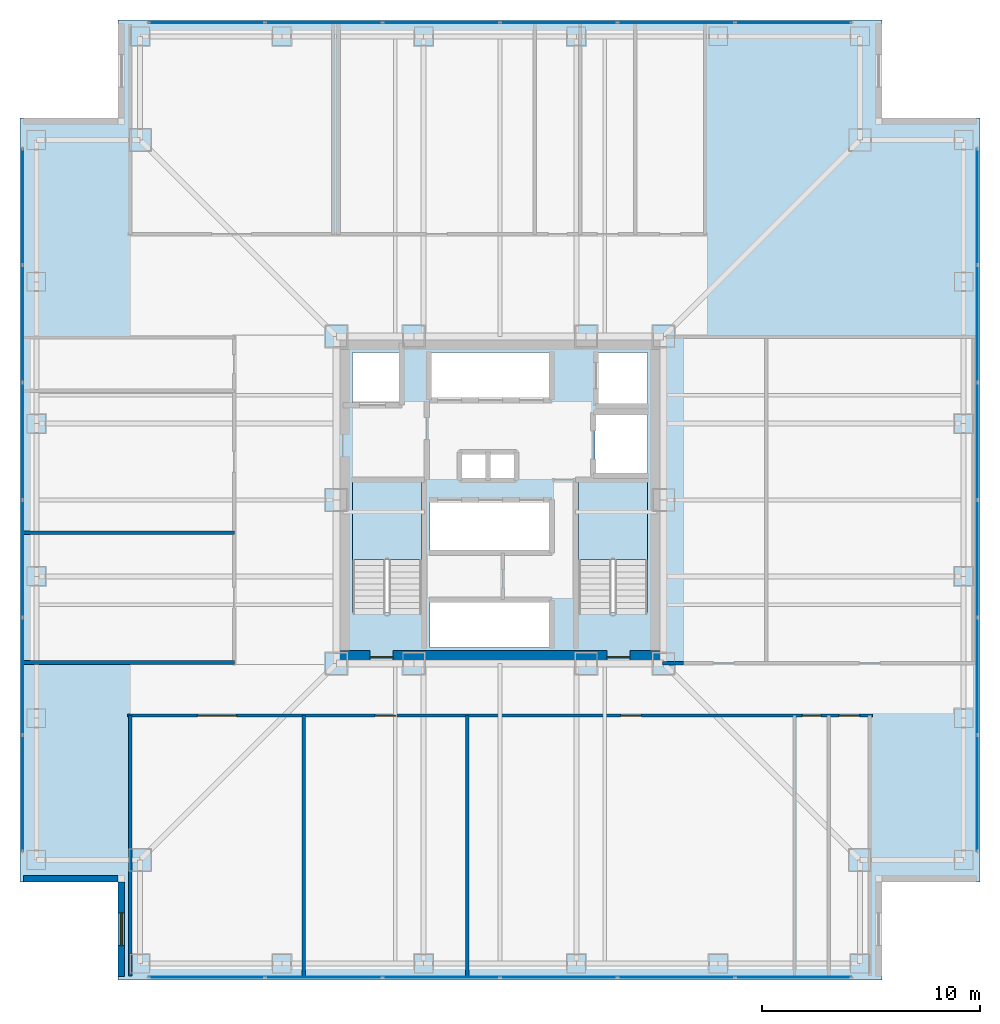
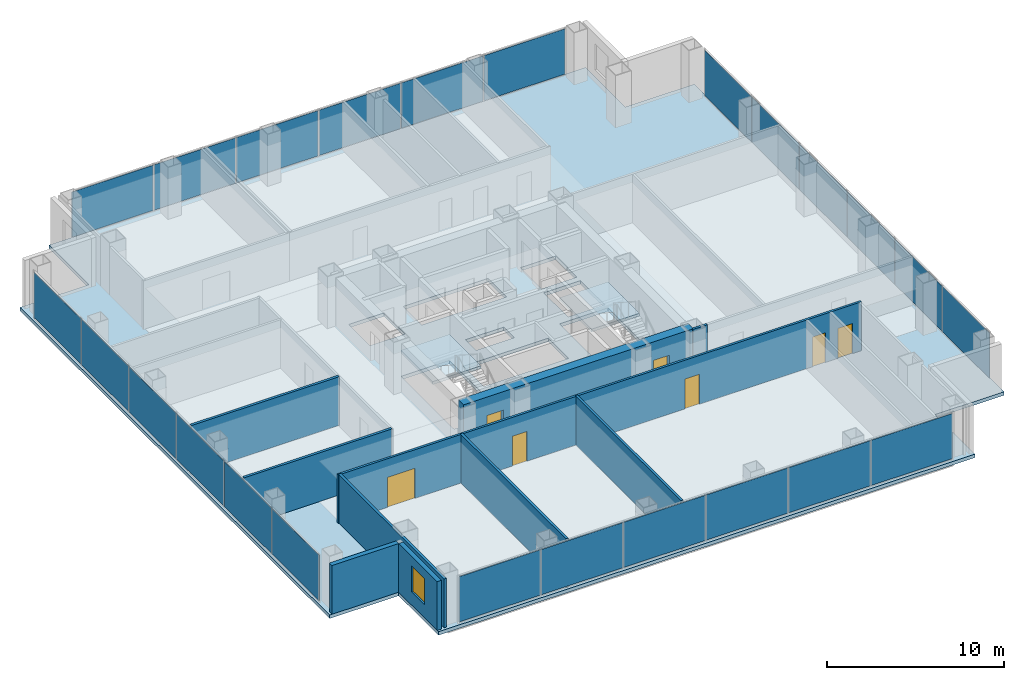
# One storey, part 9 of 14: 24 plates, 10 walls, 7 doors, 3 slabs, 1 window, 8 openings, 6 elements without a shape of their own.
"""IFC4 building model written with IfcOpenShell, lengths in metres."""

from ifc_helpers import new_model, si_unit, direction, frame, frame_2d, origin, origin_2d, place, context, subcontext, project, spatial, polyline, rectangle, outline, extrude, material, layer, layer_set, type_object, element, fill, aggregate, save


model = new_model("IFC4")

# Units and contexts
model_context = context("Model", 3, precision=1e-05, world=origin(), true_north=direction((0.0, 1.0)))
body_context = subcontext(model_context, "Body", "Model", "MODEL_VIEW")
ifc_project = project(units=[si_unit("LENGTHUNIT", "METRE"), si_unit("AREAUNIT", "SQUARE_METRE"), si_unit("VOLUMEUNIT", "CUBIC_METRE"), si_unit("PLANEANGLEUNIT", "RADIAN"), si_unit("MASSUNIT", "GRAM", prefix="KILO")], contexts=[model_context])

# Site, building, storey
site_placement = place(None, origin())
site = spatial("IfcSite", under=ifc_project, at=site_placement, CompositionType="ELEMENT")
building_placement = place(site_placement, origin())
building = spatial("IfcBuilding", under=site, at=building_placement, Name="Trevonay Congress Spire", CompositionType="ELEMENT")
storey_placement = place(building_placement, frame((0.0, 0.0, 97.60009765625)))
storey = spatial("IfcBuildingStorey", under=building, at=storey_placement, Name="L24", CompositionType="ELEMENT", Elevation=97.60009765625)

# Curtain wall, plates
ifc_material_1 = material(Name="Pale Anodised Aluminium EN AW-6063-T6", Category="aluminium")
ifc_layer_1 = layer(ifc_material_1, 0.175048828125, Name="Pale Anodised Aluminium EN AW-6063-T6")
ifc_layer_set_1 = layer_set([ifc_layer_1], Name="Pale Anodised Aluminium EN AW-6063-T6")
curtain_wall_type = type_object("IfcCurtainWallType", Name="CW-SYS03-CONGRESS-PALE-METAL", PredefinedType="NOTDEFINED", material=ifc_layer_set_1)
curtain_wall_1_placement = place(storey_placement, origin())
curtain_wall_1 = element("IfcCurtainWall", 1, at=curtain_wall_1_placement, inside=storey, type_object=curtain_wall_type, Name="L24 S unitised curtain wall", PredefinedType="NOTDEFINED")
ifc_material_2 = material(Name="Insulated Low-E Vision Glass IGU", Category="glass")
ifc_layer_2 = layer(ifc_material_2, 0.035888671875, Name="Insulated Low-E Vision Glass IGU")
ifc_layer_set_2 = layer_set([ifc_layer_2], Name="Insulated Low-E Vision Glass IGU")
plate_type = type_object("IfcPlateType", Name="CW-PANEL-IGU36-SILVER", PredefinedType="CURTAIN_PANEL", material=ifc_layer_set_2)
plate_1_placement = place(storey_placement, frame((-13.443359375, -21.8798828125, 0.119873046875), z_axis=(0.0, 0.0, 1.0), x_axis=(1.0, 0.0, 0.0)))
plate_1 = element("IfcPlate", 2, at=plate_1_placement, type_object=plate_type, Name="CW03 panel 1.1", PredefinedType="CURTAIN_PANEL", context=body_context, shape_type="SweptSolid", body=[
    extrude(rectangle(XDim=5.293212890625, YDim=0.035888671875, at=origin_2d()), origin(), (0.0, 0.0, 1.0), 3.1201171875),
])
plate_2_placement = place(storey_placement, frame((-8.074951171875, -21.8798828125, 0.119873046875), z_axis=(0.0, 0.0, 1.0), x_axis=(1.0, 0.0, 0.0)))
plate_2 = element("IfcPlate", 3, at=plate_2_placement, type_object=plate_type, Name="CW03 panel 2.1", PredefinedType="CURTAIN_PANEL", context=body_context, shape_type="SweptSolid", body=[
    extrude(rectangle(XDim=5.3232421875, YDim=0.035888671875, at=origin_2d()), origin(), (0.0, 0.0, 1.0), 3.1201171875),
])
plate_3_placement = place(storey_placement, frame((-2.691650390625, -21.8798828125, 0.119873046875), z_axis=(0.0, 0.0, 1.0), x_axis=(1.0, 0.0, 0.0)))
plate_3 = element("IfcPlate", 4, at=plate_3_placement, type_object=plate_type, Name="CW03 panel 3.1", PredefinedType="CURTAIN_PANEL", context=body_context, shape_type="SweptSolid", body=[
    extrude(rectangle(XDim=5.3232421875, YDim=0.035888671875, at=origin_2d()), origin(), (0.0, 0.0, 1.0), 3.1201171875),
])
plate_4_placement = place(storey_placement, frame((2.691650390625, -21.8798828125, 0.119873046875), z_axis=(0.0, 0.0, 1.0), x_axis=(1.0, 0.0, 0.0)))
plate_4 = element("IfcPlate", 5, at=plate_4_placement, type_object=plate_type, Name="CW03 panel 4.1", PredefinedType="CURTAIN_PANEL", context=body_context, shape_type="SweptSolid", body=[
    extrude(rectangle(XDim=5.3232421875, YDim=0.035888671875, at=origin_2d()), origin(), (0.0, 0.0, 1.0), 3.1201171875),
])
plate_5_placement = place(storey_placement, frame((8.074951171875, -21.8798828125, 0.119873046875), z_axis=(0.0, 0.0, 1.0), x_axis=(1.0, 0.0, 0.0)))
plate_5 = element("IfcPlate", 6, at=plate_5_placement, type_object=plate_type, Name="CW03 panel 5.1", PredefinedType="CURTAIN_PANEL", context=body_context, shape_type="SweptSolid", body=[
    extrude(rectangle(XDim=5.3232421875, YDim=0.035888671875, at=origin_2d()), origin(), (0.0, 0.0, 1.0), 3.1201171875),
])
plate_6_placement = place(storey_placement, frame((13.443359375, -21.8798828125, 0.119873046875), z_axis=(0.0, 0.0, 1.0), x_axis=(1.0, 0.0, 0.0)))
plate_6 = element("IfcPlate", 7, at=plate_6_placement, type_object=plate_type, Name="CW03 panel 6.1", PredefinedType="CURTAIN_PANEL", context=body_context, shape_type="SweptSolid", body=[
    extrude(rectangle(XDim=5.293212890625, YDim=0.035888671875, at=origin_2d()), origin(), (0.0, 0.0, 1.0), 3.1201171875),
])
aggregate(curtain_wall_1, [plate_1, plate_2, plate_3, plate_4, plate_5, plate_6])

curtain_wall_2_placement = place(storey_placement, origin())
curtain_wall_2 = element("IfcCurtainWall", 8, at=curtain_wall_2_placement, inside=storey, type_object=curtain_wall_type, Name="L24 N unitised curtain wall", PredefinedType="NOTDEFINED")
plate_7_placement = place(storey_placement, frame((-13.443359375, 21.8798828125, 0.119873046875), z_axis=(0.0, 0.0, 1.0), x_axis=(1.0, 0.0, 0.0)))
plate_7 = element("IfcPlate", 9, at=plate_7_placement, type_object=plate_type, Name="CW03 panel 1.1", PredefinedType="CURTAIN_PANEL", context=body_context, shape_type="SweptSolid", body=[
    extrude(rectangle(XDim=5.293212890625, YDim=0.035888671875, at=origin_2d()), origin(), (0.0, 0.0, 1.0), 3.1201171875),
])
plate_8_placement = place(storey_placement, frame((-8.074951171875, 21.8798828125, 0.119873046875), z_axis=(0.0, 0.0, 1.0), x_axis=(1.0, 0.0, 0.0)))
plate_8 = element("IfcPlate", 10, at=plate_8_placement, type_object=plate_type, Name="CW03 panel 2.1", PredefinedType="CURTAIN_PANEL", context=body_context, shape_type="SweptSolid", body=[
    extrude(rectangle(XDim=5.3232421875, YDim=0.035888671875, at=origin_2d()), origin(), (0.0, 0.0, 1.0), 3.1201171875),
])
plate_9_placement = place(storey_placement, frame((-2.691650390625, 21.8798828125, 0.119873046875), z_axis=(0.0, 0.0, 1.0), x_axis=(1.0, 0.0, 0.0)))
plate_9 = element("IfcPlate", 11, at=plate_9_placement, type_object=plate_type, Name="CW03 panel 3.1", PredefinedType="CURTAIN_PANEL", context=body_context, shape_type="SweptSolid", body=[
    extrude(rectangle(XDim=5.3232421875, YDim=0.035888671875, at=origin_2d()), origin(), (0.0, 0.0, 1.0), 3.1201171875),
])
plate_10_placement = place(storey_placement, frame((2.691650390625, 21.8798828125, 0.119873046875), z_axis=(0.0, 0.0, 1.0), x_axis=(1.0, 0.0, 0.0)))
plate_10 = element("IfcPlate", 12, at=plate_10_placement, type_object=plate_type, Name="CW03 panel 4.1", PredefinedType="CURTAIN_PANEL", context=body_context, shape_type="SweptSolid", body=[
    extrude(rectangle(XDim=5.3232421875, YDim=0.035888671875, at=origin_2d()), origin(), (0.0, 0.0, 1.0), 3.1201171875),
])
plate_11_placement = place(storey_placement, frame((8.074951171875, 21.8798828125, 0.119873046875), z_axis=(0.0, 0.0, 1.0), x_axis=(1.0, 0.0, 0.0)))
plate_11 = element("IfcPlate", 13, at=plate_11_placement, type_object=plate_type, Name="CW03 panel 5.1", PredefinedType="CURTAIN_PANEL", context=body_context, shape_type="SweptSolid", body=[
    extrude(rectangle(XDim=5.3232421875, YDim=0.035888671875, at=origin_2d()), origin(), (0.0, 0.0, 1.0), 3.1201171875),
])
plate_12_placement = place(storey_placement, frame((13.443359375, 21.8798828125, 0.119873046875), z_axis=(0.0, 0.0, 1.0), x_axis=(1.0, 0.0, 0.0)))
plate_12 = element("IfcPlate", 14, at=plate_12_placement, type_object=plate_type, Name="CW03 panel 6.1", PredefinedType="CURTAIN_PANEL", context=body_context, shape_type="SweptSolid", body=[
    extrude(rectangle(XDim=5.293212890625, YDim=0.035888671875, at=origin_2d()), origin(), (0.0, 0.0, 1.0), 3.1201171875),
])
aggregate(curtain_wall_2, [plate_7, plate_8, plate_9, plate_10, plate_11, plate_12])

curtain_wall_3_placement = place(storey_placement, origin())
curtain_wall_3 = element("IfcCurtainWall", 15, at=curtain_wall_3_placement, inside=storey, type_object=curtain_wall_type, Name="L24 W unitised curtain wall", PredefinedType="NOTDEFINED")
plate_13_placement = place(storey_placement, frame((-21.8798828125, -13.443359375, 0.119873046875), z_axis=(0.0, 0.0, 1.0), x_axis=(0.0, 1.0, 0.0)))
plate_13 = element("IfcPlate", 16, at=plate_13_placement, type_object=plate_type, Name="CW03 panel 1.1", PredefinedType="CURTAIN_PANEL", context=body_context, shape_type="SweptSolid", body=[
    extrude(rectangle(XDim=5.293212890625, YDim=0.035888671875, at=origin_2d()), origin(), (0.0, 0.0, 1.0), 3.1201171875),
])
plate_14_placement = place(storey_placement, frame((-21.8798828125, -8.074951171875, 0.119873046875), z_axis=(0.0, 0.0, 1.0), x_axis=(0.0, 1.0, 0.0)))
plate_14 = element("IfcPlate", 17, at=plate_14_placement, type_object=plate_type, Name="CW03 panel 2.1", PredefinedType="CURTAIN_PANEL", context=body_context, shape_type="SweptSolid", body=[
    extrude(rectangle(XDim=5.3232421875, YDim=0.035888671875, at=origin_2d()), origin(), (0.0, 0.0, 1.0), 3.1201171875),
])
plate_15_placement = place(storey_placement, frame((-21.8798828125, -2.691650390625, 0.119873046875), z_axis=(0.0, 0.0, 1.0), x_axis=(0.0, 1.0, 0.0)))
plate_15 = element("IfcPlate", 18, at=plate_15_placement, type_object=plate_type, Name="CW03 panel 3.1", PredefinedType="CURTAIN_PANEL", context=body_context, shape_type="SweptSolid", body=[
    extrude(rectangle(XDim=5.3232421875, YDim=0.035888671875, at=origin_2d()), origin(), (0.0, 0.0, 1.0), 3.1201171875),
])
plate_16_placement = place(storey_placement, frame((-21.8798828125, 2.691650390625, 0.119873046875), z_axis=(0.0, 0.0, 1.0), x_axis=(0.0, 1.0, 0.0)))
plate_16 = element("IfcPlate", 19, at=plate_16_placement, type_object=plate_type, Name="CW03 panel 4.1", PredefinedType="CURTAIN_PANEL", context=body_context, shape_type="SweptSolid", body=[
    extrude(rectangle(XDim=5.3232421875, YDim=0.035888671875, at=origin_2d()), origin(), (0.0, 0.0, 1.0), 3.1201171875),
])
plate_17_placement = place(storey_placement, frame((-21.8798828125, 8.074951171875, 0.119873046875), z_axis=(0.0, 0.0, 1.0), x_axis=(0.0, 1.0, 0.0)))
plate_17 = element("IfcPlate", 20, at=plate_17_placement, type_object=plate_type, Name="CW03 panel 5.1", PredefinedType="CURTAIN_PANEL", context=body_context, shape_type="SweptSolid", body=[
    extrude(rectangle(XDim=5.3232421875, YDim=0.035888671875, at=origin_2d()), origin(), (0.0, 0.0, 1.0), 3.1201171875),
])
plate_18_placement = place(storey_placement, frame((-21.8798828125, 13.443359375, 0.119873046875), z_axis=(0.0, 0.0, 1.0), x_axis=(0.0, 1.0, 0.0)))
plate_18 = element("IfcPlate", 21, at=plate_18_placement, type_object=plate_type, Name="CW03 panel 6.1", PredefinedType="CURTAIN_PANEL", context=body_context, shape_type="SweptSolid", body=[
    extrude(rectangle(XDim=5.293212890625, YDim=0.035888671875, at=origin_2d()), origin(), (0.0, 0.0, 1.0), 3.1201171875),
])
aggregate(curtain_wall_3, [plate_13, plate_14, plate_15, plate_16, plate_17, plate_18])

curtain_wall_4_placement = place(storey_placement, origin())
curtain_wall_4 = element("IfcCurtainWall", 22, at=curtain_wall_4_placement, inside=storey, type_object=curtain_wall_type, Name="L24 E unitised curtain wall", PredefinedType="NOTDEFINED")
plate_19_placement = place(storey_placement, frame((21.8798828125, -13.443359375, 0.119873046875), z_axis=(0.0, 0.0, 1.0), x_axis=(0.0, 1.0, 0.0)))
plate_19 = element("IfcPlate", 23, at=plate_19_placement, type_object=plate_type, Name="CW03 panel 1.1", PredefinedType="CURTAIN_PANEL", context=body_context, shape_type="SweptSolid", body=[
    extrude(rectangle(XDim=5.293212890625, YDim=0.035888671875, at=origin_2d()), origin(), (0.0, 0.0, 1.0), 3.1201171875),
])
plate_20_placement = place(storey_placement, frame((21.8798828125, -8.074951171875, 0.119873046875), z_axis=(0.0, 0.0, 1.0), x_axis=(0.0, 1.0, 0.0)))
plate_20 = element("IfcPlate", 24, at=plate_20_placement, type_object=plate_type, Name="CW03 panel 2.1", PredefinedType="CURTAIN_PANEL", context=body_context, shape_type="SweptSolid", body=[
    extrude(rectangle(XDim=5.3232421875, YDim=0.035888671875, at=origin_2d()), origin(), (0.0, 0.0, 1.0), 3.1201171875),
])
plate_21_placement = place(storey_placement, frame((21.8798828125, -2.691650390625, 0.119873046875), z_axis=(0.0, 0.0, 1.0), x_axis=(0.0, 1.0, 0.0)))
plate_21 = element("IfcPlate", 25, at=plate_21_placement, type_object=plate_type, Name="CW03 panel 3.1", PredefinedType="CURTAIN_PANEL", context=body_context, shape_type="SweptSolid", body=[
    extrude(rectangle(XDim=5.3232421875, YDim=0.035888671875, at=origin_2d()), origin(), (0.0, 0.0, 1.0), 3.1201171875),
])
plate_22_placement = place(storey_placement, frame((21.8798828125, 2.691650390625, 0.119873046875), z_axis=(0.0, 0.0, 1.0), x_axis=(0.0, 1.0, 0.0)))
plate_22 = element("IfcPlate", 26, at=plate_22_placement, type_object=plate_type, Name="CW03 panel 4.1", PredefinedType="CURTAIN_PANEL", context=body_context, shape_type="SweptSolid", body=[
    extrude(rectangle(XDim=5.3232421875, YDim=0.035888671875, at=origin_2d()), origin(), (0.0, 0.0, 1.0), 3.1201171875),
])
plate_23_placement = place(storey_placement, frame((21.8798828125, 8.074951171875, 0.119873046875), z_axis=(0.0, 0.0, 1.0), x_axis=(0.0, 1.0, 0.0)))
plate_23 = element("IfcPlate", 27, at=plate_23_placement, type_object=plate_type, Name="CW03 panel 5.1", PredefinedType="CURTAIN_PANEL", context=body_context, shape_type="SweptSolid", body=[
    extrude(rectangle(XDim=5.3232421875, YDim=0.035888671875, at=origin_2d()), origin(), (0.0, 0.0, 1.0), 3.1201171875),
])
plate_24_placement = place(storey_placement, frame((21.8798828125, 13.443359375, 0.119873046875), z_axis=(0.0, 0.0, 1.0), x_axis=(0.0, 1.0, 0.0)))
plate_24 = element("IfcPlate", 28, at=plate_24_placement, type_object=plate_type, Name="CW03 panel 6.1", PredefinedType="CURTAIN_PANEL", context=body_context, shape_type="SweptSolid", body=[
    extrude(rectangle(XDim=5.293212890625, YDim=0.035888671875, at=origin_2d()), origin(), (0.0, 0.0, 1.0), 3.1201171875),
])
aggregate(curtain_wall_4, [plate_19, plate_20, plate_21, plate_22, plate_23, plate_24])

# Stair, slab
ifc_material_3 = material(Name="Concrete C40/50", Category="concrete")
stair_type_1 = type_object("IfcStairType", Name="STR-ST-1", PredefinedType="HALF_TURN_STAIR", material=ifc_material_3)
stair_1_placement = place(storey_placement, origin())
stair_1 = element("IfcStair", 29, at=stair_1_placement, inside=storey, type_object=stair_type_1, Name="L24 Protected Exit Stair ST-1", PredefinedType="HALF_TURN_STAIR")
ifc_layer_3 = layer(ifc_material_3, 0.199951171875, Name="Concrete C40/50")
ifc_layer_set_3 = layer_set([ifc_layer_3], Name="Concrete C40/50")
slab_type_1 = type_object("IfcSlabType", Name="SLB-STAIR-LAND-200", PredefinedType="LANDING", material=ifc_layer_set_3)
slab_1_placement = place(storey_placement, frame((0.0, 0.0, 1.599853515625)))
slab_1 = element("IfcSlab", 30, at=slab_1_placement, type_object=slab_type_1, Name="ST-1 landing 1", PredefinedType="LANDING", context=body_context, shape_type="SweptSolid", body=[
    extrude(outline(polyline([(-3.60009765625, -2.72998046875), (-3.60009765625, 0.85009765625), (-6.75, 0.85009765625), (-6.75, -2.72998046875), (-3.60009765625, -2.72998046875)])), origin(), (0.0, 0.0, 1.0), 0.199951171875),
])
aggregate(stair_1, [slab_1])

stair_type_2 = type_object("IfcStairType", Name="STR-ST-2", PredefinedType="HALF_TURN_STAIR", material=ifc_material_3)
stair_2_placement = place(storey_placement, origin())
stair_2 = element("IfcStair", 31, at=stair_2_placement, inside=storey, type_object=stair_type_2, Name="L24 Protected Exit Stair ST-2", PredefinedType="HALF_TURN_STAIR")
slab_2_placement = place(storey_placement, frame((0.0, 0.0, 1.599853515625)))
slab_2 = element("IfcSlab", 32, at=slab_2_placement, type_object=slab_type_1, Name="ST-2 landing 1", PredefinedType="LANDING", context=body_context, shape_type="SweptSolid", body=[
    extrude(outline(polyline([(6.75, -2.72998046875), (6.75, 0.85009765625), (3.60009765625, 0.85009765625), (3.60009765625, -2.72998046875), (6.75, -2.72998046875)])), origin(), (0.0, 0.0, 1.0), 0.199951171875),
])
aggregate(stair_2, [slab_2])

# Slab
ifc_layer_4 = layer(ifc_material_3, 0.239990234375, Name="Concrete C40/50")
ifc_layer_set_4 = layer_set([ifc_layer_4], Name="Concrete C40/50")
slab_type_2 = type_object("IfcSlabType", Name="SLB-TOW2-240", PredefinedType="FLOOR", material=ifc_layer_set_4)
slab_3_placement = place(storey_placement, frame((0.0, 0.0, -0.239990234375)))
element("IfcSlab", 33, at=slab_3_placement, inside=storey, type_object=slab_type_2, Name="L24 structural floor slab", PredefinedType="FLOOR", context=body_context, shape_type="SweptSolid", body=[
    extrude(outline(polyline([(-17.5, -22.0), (17.5, -22.0), (17.5, -17.5), (22.0, -17.5), (22.0, 17.5), (17.5, 17.5), (17.5, 22.0), (-17.5, 22.0), (-17.5, 17.5), (-22.0, 17.5), (-22.0, -17.5), (-17.5, -17.5), (-17.5, -22.0)]), holes=[polyline([(-3.60009765625, -5.14990234375), (-3.60009765625, 0.85009765625), (-6.75, 0.85009765625), (-6.75, -5.14990234375), (-3.60009765625, -5.14990234375)]), polyline([(6.75, -5.14990234375), (6.75, 0.85009765625), (3.60009765625, 0.85009765625), (3.60009765625, -5.14990234375), (6.75, -5.14990234375)]), polyline([(-3.199951171875, -6.75), (2.340087890625, -6.75), (2.340087890625, -4.64990234375), (-3.199951171875, -4.64990234375), (-3.199951171875, -6.75)]), polyline([(-3.199951171875, -2.35009765625), (2.340087890625, -2.35009765625), (2.340087890625, -0.050048828125), (-3.199951171875, -0.050048828125), (-3.199951171875, -2.35009765625)]), polyline([(-3.199951171875, 4.64990234375), (2.340087890625, 4.64990234375), (2.340087890625, 6.75), (-3.199951171875, 6.75), (-3.199951171875, 4.64990234375)]), polyline([(-6.75, 4.35009765625), (-4.449951171875, 4.35009765625), (-4.449951171875, 6.75), (-6.75, 6.75), (-6.75, 4.35009765625)]), polyline([(4.449951171875, 4.35009765625), (6.75, 4.35009765625), (6.75, 6.75), (4.449951171875, 6.75), (4.449951171875, 4.35009765625)]), polyline([(4.35009765625, 1.199951171875), (6.75, 1.199951171875), (6.75, 3.949951171875), (4.35009765625, 3.949951171875), (4.35009765625, 1.199951171875)]), polyline([(-1.800048828125, 0.949951171875), (0.699951171875, 0.949951171875), (0.699951171875, 2.14990234375), (-1.800048828125, 2.14990234375), (-1.800048828125, 0.949951171875)])]), origin(), (0.0, 0.0, 1.0), 0.239990234375),
])

# Wall, openings, doors
ifc_material_4 = material(Name="Concrete C60/75", Category="concrete")
ifc_layer_5 = layer(ifc_material_4, 0.60009765625, Name="Concrete C60/75")
ifc_layer_set_5 = layer_set([ifc_layer_5], Name="Concrete C60/75")
wall_type_1 = type_object("IfcWallType", Name="WAL-CORE-600", PredefinedType="SHEAR", material=ifc_layer_set_5)
wall_1_placement = place(storey_placement, frame((-7.5, -7.199951171875, 0.0), z_axis=(0.0, 0.0, 1.0), x_axis=(1.0, 0.0, 0.0)))
wall_1 = element("IfcWall", 34, at=wall_1_placement, inside=storey, type_object=wall_type_1, Name="L24 South structural core shear wall", PredefinedType="SHEAR", context=body_context, shape_type="SweptSolid", body=[
    extrude(rectangle(XDim=15.0, YDim=0.60009765625, at=frame_2d((7.5, 0.0))), origin(), (0.0, 0.0, 1.0), 3.35986328125),
])
opening_1_placement = place(wall_1_placement, frame((1.550048828125, 0.0, 0.0)))
opening_1 = element("IfcOpeningElement", 35, at=opening_1_placement, cuts=wall_1, Name="Opening D05", PredefinedType="OPENING", context=body_context, shape_type="SweptSolid", body=[
    extrude(rectangle(XDim=1.050048828125, YDim=2.080078125, at=frame_2d((0.52490234375, 1.0400390625))), frame((0.0, 0.31005859375, 0.0), z_axis=(0.0, -1.0, 0.0), x_axis=(1.0, 0.0, 0.0)), (0.0, 0.0, 1.0), 0.6201171875),
])
opening_2_placement = place(wall_1_placement, frame((12.39990234375, 0.0, 0.0)))
opening_2 = element("IfcOpeningElement", 36, at=opening_2_placement, cuts=wall_1, Name="Opening D05", PredefinedType="OPENING", context=body_context, shape_type="SweptSolid", body=[
    extrude(rectangle(XDim=1.050048828125, YDim=2.080078125, at=frame_2d((0.52490234375, 1.0400390625))), frame((0.0, 0.31005859375, 0.0), z_axis=(0.0, -1.0, 0.0), x_axis=(1.0, 0.0, 0.0)), (0.0, 0.0, 1.0), 0.6201171875),
])
ifc_material_5 = material(Name="Steel ASTM A572 Grade 50", Category="steel")
door_type_1 = type_object("IfcDoorType", Name="DOR-STAIR-110", OperationType="NOTDEFINED", PredefinedType="DOOR", material=ifc_material_5)
door_1_placement = place(opening_1_placement, origin())
door_1 = element("IfcDoor", 37, at=door_1_placement, inside=storey, type_object=door_type_1, Name="L24 Protected Stair ST-1 Door", OperationType="SINGLE_SWING_LEFT", OverallHeight=2.080078125, OverallWidth=1.050048828125, PredefinedType="DOOR", context=body_context, shape_type="SweptSolid", body=[
    extrude(rectangle(XDim=1.050048828125, YDim=2.080078125, at=frame_2d((0.52490234375, 1.0400390625))), frame((0.0, 0.02490234375, 0.0), z_axis=(0.0, -1.0, 0.0), x_axis=(1.0, 0.0, 0.0)), (0.0, 0.0, 1.0), 0.050048828125),
])
fill(opening_1, door_1)
door_2_placement = place(opening_2_placement, origin())
door_2 = element("IfcDoor", 38, at=door_2_placement, inside=storey, type_object=door_type_1, Name="L24 Protected Stair ST-2 Door", OperationType="SINGLE_SWING_RIGHT", OverallHeight=2.080078125, OverallWidth=1.050048828125, PredefinedType="DOOR", context=body_context, shape_type="SweptSolid", body=[
    extrude(rectangle(XDim=1.050048828125, YDim=2.080078125, at=frame_2d((0.52490234375, 1.0400390625))), frame((0.0, 0.02490234375, 0.0), z_axis=(0.0, -1.0, 0.0), x_axis=(1.0, 0.0, 0.0)), (0.0, 0.0, 1.0), 0.050048828125),
])
fill(opening_2, door_2)

ifc_layer_6 = layer(ifc_material_3, 0.14990234375, Name="Concrete C40/50")
ifc_layer_set_6 = layer_set([ifc_layer_6], Name="Concrete C40/50")
wall_type_2 = type_object("IfcWallType", Name="WAL-CORR-150", PredefinedType="PARTITIONING", material=ifc_layer_set_6)
wall_2_placement = place(storey_placement, frame((-17.070068359375, -9.8798828125, 0.0), z_axis=(0.0, 0.0, 1.0), x_axis=(1.0, 0.0, 0.0)))
wall_2 = element("IfcWall", 39, at=wall_2_placement, inside=storey, type_object=wall_type_2, Name="L24 interior wall WP-L24S-COR", PredefinedType="PARTITIONING", context=body_context, shape_type="SweptSolid", body=[
    extrude(rectangle(XDim=34.14013671875, YDim=0.14990234375, at=frame_2d((17.070068359375, 0.0))), origin(), (0.0, 0.0, 1.0), 3.35986328125),
])
opening_3_placement = place(wall_2_placement, frame((3.195068359375, 0.0, 0.0)))
opening_3 = element("IfcOpeningElement", 40, at=opening_3_placement, cuts=wall_2, Name="Opening D09", PredefinedType="OPENING", context=body_context, shape_type="SweptSolid", body=[
    extrude(rectangle(XDim=1.800048828125, YDim=2.080078125, at=frame_2d((0.89990234375, 1.0400390625))), frame((0.0, 0.0849609375, 0.0), z_axis=(0.0, -1.0, 0.0), x_axis=(1.0, 0.0, 0.0)), (0.0, 0.0, 1.0), 0.169921875),
])
opening_4_placement = place(wall_2_placement, frame((11.344970703125, 0.0, 0.0)))
opening_4 = element("IfcOpeningElement", 41, at=opening_4_placement, cuts=wall_2, Name="Opening D07", PredefinedType="OPENING", context=body_context, shape_type="SweptSolid", body=[
    extrude(rectangle(XDim=0.949951171875, YDim=2.06005859375, at=frame_2d((0.47509765625, 1.030029296875))), frame((0.0, 0.0849609375, 0.0), z_axis=(0.0, -1.0, 0.0), x_axis=(1.0, 0.0, 0.0)), (0.0, 0.0, 1.0), 0.169921875),
])
opening_5_placement = place(wall_2_placement, frame((22.594970703125, 0.0, 0.0)))
opening_5 = element("IfcOpeningElement", 42, at=opening_5_placement, cuts=wall_2, Name="Opening D07", PredefinedType="OPENING", context=body_context, shape_type="SweptSolid", body=[
    extrude(rectangle(XDim=0.949951171875, YDim=2.06005859375, at=frame_2d((0.47509765625, 1.030029296875))), frame((0.0, 0.0849609375, 0.0), z_axis=(0.0, -1.0, 0.0), x_axis=(1.0, 0.0, 0.0)), (0.0, 0.0, 1.0), 0.169921875),
])
opening_6_placement = place(wall_2_placement, frame((30.925048828125, 0.0, 0.0)))
opening_6 = element("IfcOpeningElement", 43, at=opening_6_placement, cuts=wall_2, Name="Opening D10", PredefinedType="OPENING", context=body_context, shape_type="SweptSolid", body=[
    extrude(rectangle(XDim=0.85009765625, YDim=2.050048828125, at=frame_2d((0.425048828125, 1.02490234375))), frame((0.0, 0.0849609375, 0.0), z_axis=(0.0, -1.0, 0.0), x_axis=(1.0, 0.0, 0.0)), (0.0, 0.0, 1.0), 0.169921875),
])
opening_7_placement = place(wall_2_placement, frame((32.60009765625, 0.0, 0.0)))
opening_7 = element("IfcOpeningElement", 44, at=opening_7_placement, cuts=wall_2, Name="Opening D07", PredefinedType="OPENING", context=body_context, shape_type="SweptSolid", body=[
    extrude(rectangle(XDim=0.949951171875, YDim=2.06005859375, at=frame_2d((0.47509765625, 1.030029296875))), frame((0.0, 0.0849609375, 0.0), z_axis=(0.0, -1.0, 0.0), x_axis=(1.0, 0.0, 0.0)), (0.0, 0.0, 1.0), 0.169921875),
])
door_type_2 = type_object("IfcDoorType", Name="DOR-CONF-DBL", OperationType="DOUBLE_DOOR_SINGLE_SWING", PredefinedType="DOOR", material=ifc_material_1)
door_3_placement = place(opening_3_placement, origin())
door_3 = element("IfcDoor", 45, at=door_3_placement, inside=storey, type_object=door_type_2, Name="L24 Commission Hearing Chamber A Door", OperationType="DOUBLE_DOOR_SINGLE_SWING", OverallHeight=2.080078125, OverallWidth=1.800048828125, PredefinedType="DOOR", context=body_context, shape_type="SweptSolid", body=[
    extrude(rectangle(XDim=1.800048828125, YDim=2.080078125, at=frame_2d((0.89990234375, 1.0400390625))), frame((0.0, 0.02490234375, 0.0), z_axis=(0.0, -1.0, 0.0), x_axis=(1.0, 0.0, 0.0)), (0.0, 0.0, 1.0), 0.050048828125),
])
fill(opening_3, door_3)
door_type_3 = type_object("IfcDoorType", Name="DOR-OFFICE-95", OperationType="NOTDEFINED", PredefinedType="DOOR", material=ifc_material_1)
door_4_placement = place(opening_4_placement, origin())
door_4 = element("IfcDoor", 46, at=door_4_placement, inside=storey, type_object=door_type_3, Name="L24 Commission Hearing Chamber B Door", OperationType="SINGLE_SWING_LEFT", OverallHeight=2.06005859375, OverallWidth=0.949951171875, PredefinedType="DOOR", context=body_context, shape_type="SweptSolid", body=[
    extrude(rectangle(XDim=0.949951171875, YDim=2.06005859375, at=frame_2d((0.47509765625, 1.030029296875))), frame((0.0, 0.02490234375, 0.0), z_axis=(0.0, -1.0, 0.0), x_axis=(1.0, 0.0, 0.0)), (0.0, 0.0, 1.0), 0.050048828125),
])
fill(opening_4, door_4)
door_5_placement = place(opening_5_placement, origin())
door_5 = element("IfcDoor", 47, at=door_5_placement, inside=storey, type_object=door_type_3, Name="L24 Simultaneous Interpretation Hub Door", OperationType="SINGLE_SWING_RIGHT", OverallHeight=2.06005859375, OverallWidth=0.949951171875, PredefinedType="DOOR", context=body_context, shape_type="SweptSolid", body=[
    extrude(rectangle(XDim=0.949951171875, YDim=2.06005859375, at=frame_2d((0.47509765625, 1.030029296875))), frame((0.0, 0.02490234375, 0.0), z_axis=(0.0, -1.0, 0.0), x_axis=(1.0, 0.0, 0.0)), (0.0, 0.0, 1.0), 0.050048828125),
])
fill(opening_5, door_5)
door_6_placement = place(opening_7_placement, origin())
door_6 = element("IfcDoor", 48, at=door_6_placement, inside=storey, type_object=door_type_3, Name="L24 Floor Supplies and Copy Room Door", OperationType="SINGLE_SWING_RIGHT", OverallHeight=2.06005859375, OverallWidth=0.949951171875, PredefinedType="DOOR", context=body_context, shape_type="SweptSolid", body=[
    extrude(rectangle(XDim=0.949951171875, YDim=2.06005859375, at=frame_2d((0.47509765625, 1.030029296875))), frame((0.0, 0.02490234375, 0.0), z_axis=(0.0, -1.0, 0.0), x_axis=(1.0, 0.0, 0.0)), (0.0, 0.0, 1.0), 0.050048828125),
])
fill(opening_7, door_6)
door_type_4 = type_object("IfcDoorType", Name="DOR-WC-85", OperationType="NOTDEFINED", PredefinedType="DOOR", material=ifc_material_1)
door_7_placement = place(opening_6_placement, origin())
door_7 = element("IfcDoor", 49, at=door_7_placement, inside=storey, type_object=door_type_4, Name="L24 Accessible WC Door", OperationType="SINGLE_SWING_LEFT", OverallHeight=2.050048828125, OverallWidth=0.85009765625, PredefinedType="DOOR", context=body_context, shape_type="SweptSolid", body=[
    extrude(rectangle(XDim=0.85009765625, YDim=2.050048828125, at=frame_2d((0.425048828125, 1.02490234375))), frame((0.0, 0.02490234375, 0.0), z_axis=(0.0, -1.0, 0.0), x_axis=(1.0, 0.0, 0.0)), (0.0, 0.0, 1.0), 0.050048828125),
])
fill(opening_6, door_7)

# Wall
wall_3_placement = place(storey_placement, frame((7.449951171875, -7.47998046875, 0.0), z_axis=(0.0, 0.0, 1.0), x_axis=(1.0, 0.0, 0.0)))
element("IfcWall", 50, at=wall_3_placement, inside=storey, type_object=wall_type_2, Name="L24 interior wall WP-L24E-STUB", PredefinedType="PARTITIONING", context=body_context, shape_type="SweptSolid", body=[
    extrude(rectangle(XDim=0.949951171875, YDim=0.14990234375, at=frame_2d((0.47509765625, 0.0))), origin(), (0.0, 0.0, 1.0), 3.35986328125),
])

# Wall, opening, window
ifc_material_6 = material(Name="Precast concrete C40/50", Category="concrete")
ifc_layer_7 = layer(ifc_material_6, 0.300048828125, Name="Precast concrete C40/50")
ifc_layer_set_7 = layer_set([ifc_layer_7], Name="Precast concrete C40/50")
wall_type_3 = type_object("IfcWallType", Name="WAL-EXT-PRECAST-300", PredefinedType="SOLIDWALL", material=ifc_layer_set_7)
wall_4_placement = place(storey_placement, frame((-17.35009765625, -21.85009765625, 0.0), z_axis=(0.0, 0.0, 1.0), x_axis=(0.0, 1.0, 0.0)))
wall_4 = element("IfcWall", 51, at=wall_4_placement, inside=storey, type_object=wall_type_3, Name="L24 SW re-entrant notch exterior wall 1", PredefinedType="SOLIDWALL", context=body_context, shape_type="SweptSolid", body=[
    extrude(rectangle(XDim=4.35009765625, YDim=0.300048828125, at=frame_2d((2.175048828125, 0.0))), origin(), (0.0, 0.0, 1.0), 3.35986328125),
])
opening_8_placement = place(wall_4_placement, frame((1.425048828125, 0.0, 0.89990234375)))
opening_8 = element("IfcOpeningElement", 52, at=opening_8_placement, cuts=wall_4, Name="Opening WN03", PredefinedType="OPENING", context=body_context, shape_type="SweptSolid", body=[
    extrude(rectangle(XDim=1.5, YDim=1.800048828125, at=frame_2d((0.75, 0.89990234375))), frame((0.0, 0.16015625, 0.0), z_axis=(0.0, -1.0, 0.0), x_axis=(1.0, 0.0, 0.0)), (0.0, 0.0, 1.0), 0.320068359375),
])
window_type = type_object("IfcWindowType", Name="WIN-NOTCH-150X180", PartitioningType="SINGLE_PANEL", PredefinedType="WINDOW", material=ifc_material_2)
window_placement = place(opening_8_placement, origin())
window = element("IfcWindow", 53, at=window_placement, inside=storey, type_object=window_type, Name="L24 SW corner notch window", OverallHeight=1.800048828125, OverallWidth=1.5, PartitioningType="SINGLE_PANEL", PredefinedType="WINDOW", context=body_context, shape_type="SweptSolid", body=[
    extrude(rectangle(XDim=1.5, YDim=1.800048828125, at=frame_2d((0.75, 0.89990234375))), frame((0.0, 0.030029296875, 0.0), z_axis=(0.0, -1.0, 0.0), x_axis=(1.0, 0.0, 0.0)), (0.0, 0.0, 1.0), 0.06005859375),
])
fill(opening_8, window)

# Walls
wall_5_placement = place(storey_placement, frame((-21.85009765625, -17.35009765625, 0.0), z_axis=(0.0, 0.0, 1.0), x_axis=(1.0, 0.0, 0.0)))
element("IfcWall", 54, at=wall_5_placement, inside=storey, type_object=wall_type_3, Name="L24 SW re-entrant notch exterior wall 2", PredefinedType="SOLIDWALL", context=body_context, shape_type="SweptSolid", body=[
    extrude(rectangle(XDim=4.35009765625, YDim=0.300048828125, at=frame_2d((2.175048828125, 0.0))), origin(), (0.0, 0.0, 1.0), 3.35986328125),
])
ifc_layer_8 = layer(ifc_material_3, 0.14990234375, Name="Concrete C40/50")
ifc_layer_set_8 = layer_set([ifc_layer_8], Name="Concrete C40/50")
wall_type_4 = type_object("IfcWallType", Name="WAL-PART-150", PredefinedType="PARTITIONING", material=ifc_layer_set_8)
wall_6_placement = place(storey_placement, frame((-1.5, -21.820068359375, 0.0), z_axis=(0.0, 0.0, 1.0), x_axis=(0.0, 1.0, 0.0)))
element("IfcWall", 55, at=wall_6_placement, inside=storey, type_object=wall_type_4, Name="L24 interior wall WP-L24S-DIV3", PredefinedType="PARTITIONING", context=body_context, shape_type="SweptSolid", body=[
    extrude(rectangle(XDim=11.940185546875, YDim=0.14990234375, at=frame_2d((5.97021484375, 0.0))), origin(), (0.0, 0.0, 1.0), 3.35986328125),
])
ifc_layer_9 = layer(ifc_material_3, 0.1650390625, Name="Concrete C40/50")
ifc_layer_set_9 = layer_set([ifc_layer_9], Name="Concrete C40/50")
wall_type_5 = type_object("IfcWallType", Name="WAL-WET-165", PredefinedType="PLUMBINGWALL", material=ifc_layer_set_9)
for number, where, z_axis, x_axis, name in (
    (56, (-16.949951171875, -21.820068359375, 0.0), (0.0, 0.0, 1.0), (0.0, 1.0, 0.0), "L24 interior wall WP-L24S-DIV1"),
    (57, (-9.0, -21.820068359375, 0.0), (0.0, 0.0, 1.0), (0.0, 1.0, 0.0), "L24 interior wall WP-L24S-DIV2"),
):
    element("IfcWall", number, at=place(storey_placement, frame(where, z_axis=z_axis, x_axis=x_axis)), inside=storey, type_object=wall_type_5, Name=name, PredefinedType="PLUMBINGWALL", context=body_context, shape_type="SweptSolid", body=[
        extrude(rectangle(XDim=11.940185546875, YDim=0.1650390625, at=frame_2d((5.97021484375, 0.0))), origin(), (0.0, 0.0, 1.0), 3.35986328125),
    ])
for number, where, z_axis, x_axis, name in (
    (58, (-21.820068359375, -7.449951171875, 0.0), (0.0, 0.0, 1.0), (1.0, 0.0, 0.0), "L24 interior wall WP-L24W-DIV1"),
    (59, (-21.820068359375, -1.5, 0.0), (0.0, 0.0, 1.0), (1.0, 0.0, 0.0), "L24 interior wall WP-L24W-DIV2"),
):
    element("IfcWall", number, at=place(storey_placement, frame(where, z_axis=z_axis, x_axis=x_axis)), inside=storey, type_object=wall_type_5, Name=name, PredefinedType="PLUMBINGWALL", context=body_context, shape_type="SweptSolid", body=[
        extrude(rectangle(XDim=9.64013671875, YDim=0.1650390625, at=frame_2d((4.820068359375, 0.0))), origin(), (0.0, 0.0, 1.0), 3.35986328125),
    ])

save(model, "model.ifc")
